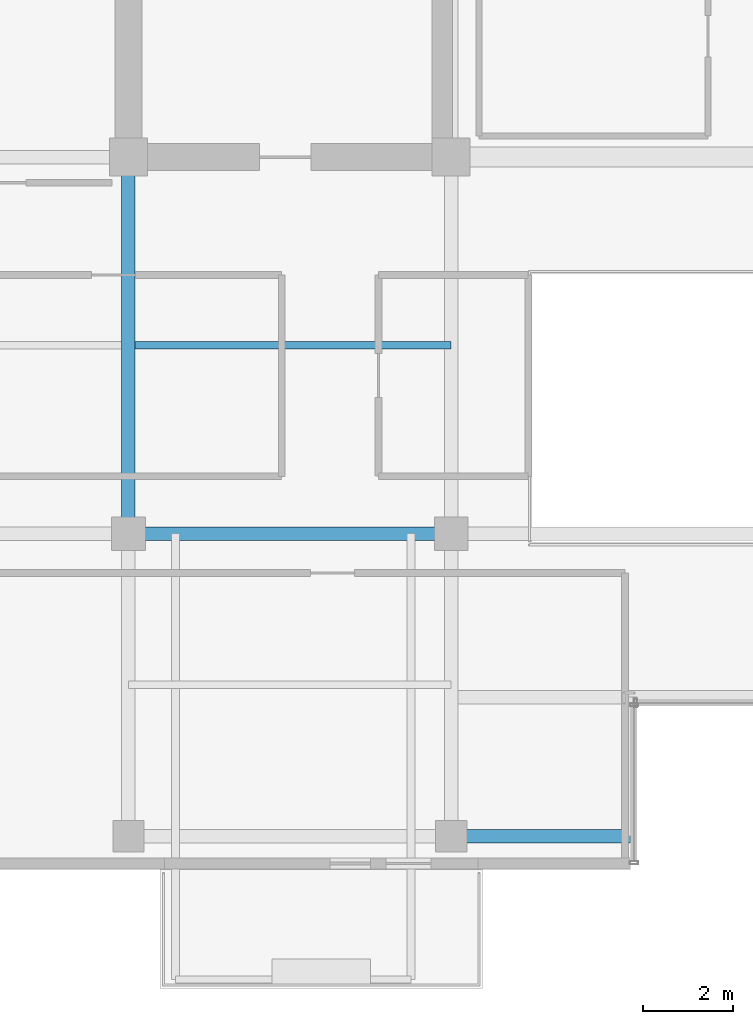
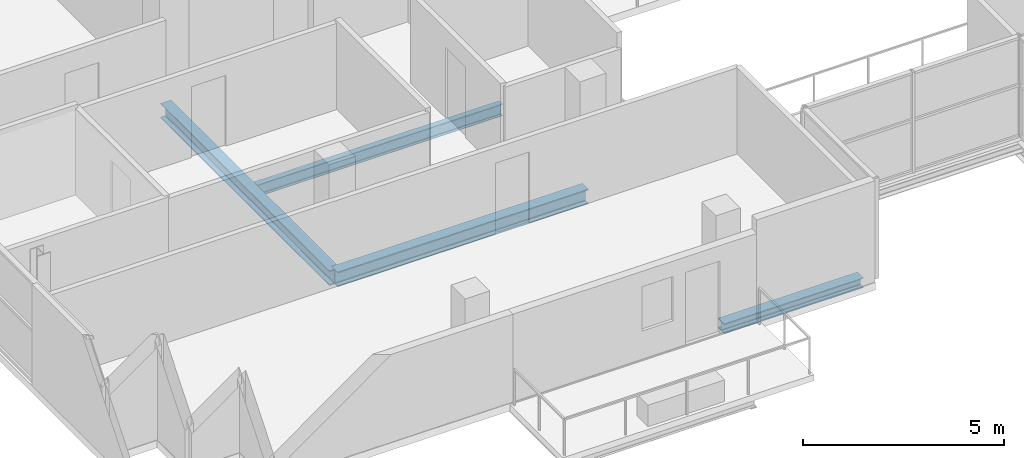
# One storey, part 5 of 23: 4 beams.
"""IFC4 building model written with IfcOpenShell, lengths in metres."""

import ifcopenshell
import ifcopenshell.guid

model = None  # the IFC model being written
_history = None  # IfcOwnerHistory: only IFC2X3 demands one
_inside = {}  # id of a spatial element -> (the spatial element, [elements in it])
_under = {}  # id of a project, library or spatial element -> (it, [spatial elements below it])
_declared = {}  # id of a project -> (the project, [libraries it declares])
_typed = {}  # id of a type object -> (the type object, [elements of that type])
_made_of = {}  # id of a material, layer set ... -> (it, [elements and type objects made of it])


def new_model(schema):
    """Start an empty IFC model of exactly this schema.

    Asked for "IFC4X3", IfcOpenShell would pick the latest addendum, in which some entities
    have other attributes; the version numbers below select the first issue.
    IFC2X3 requires an IfcOwnerHistory on every rooted entity: one is made here for all.
    """
    global model, _history
    if schema == "IFC4X3":
        model = ifcopenshell.file(schema_version=(4, 3, 0, 0))
    else:
        model = ifcopenshell.file(schema=schema)
    _inside.clear()
    _under.clear()
    _declared.clear()
    _typed.clear()
    _made_of.clear()
    _history = None
    if model.schema == "IFC2X3":
        org = make("IfcOrganization", Name="unknown")
        user = make(
            "IfcPersonAndOrganization",
            ThePerson=make("IfcPerson", FamilyName="unknown"),
            TheOrganization=org,
        )
        app = make(
            "IfcApplication",
            ApplicationDeveloper=org,
            Version="unknown",
            ApplicationFullName="unknown",
            ApplicationIdentifier="unknown",
        )
        _history = make(
            "IfcOwnerHistory",
            OwningUser=user,
            OwningApplication=app,
            ChangeAction="ADDED",
            CreationDate=0,
        )
    return model


def make(cls, **values):
    """One entity of the class cls with the attributes given. An attribute that is None is left unset."""
    return model.create_entity(
        cls, **{name: value for name, value in values.items() if value is not None}
    )


def rooted(cls, **values):
    """An entity with a GlobalId (a new one), such as an element, a storey or a relation."""
    return make(cls, GlobalId=ifcopenshell.guid.new(), OwnerHistory=_history, **values)


def si_unit(unit_type, name, prefix=None):
    """IfcSIUnit, for example si_unit("LENGTHUNIT", "METRE", prefix="MILLI")."""
    return make("IfcSIUnit", UnitType=unit_type, Prefix=prefix, Name=name)


def assignment(units):
    """IfcUnitAssignment: the units of a project."""
    return None if units is None else make("IfcUnitAssignment", Units=units)


def point(xyz):
    """IfcCartesianPoint."""
    return None if xyz is None else make("IfcCartesianPoint", Coordinates=xyz)


def direction(xyz):
    """IfcDirection."""
    return None if xyz is None else make("IfcDirection", DirectionRatios=xyz)


def frame(location, z_axis=None, x_axis=None):
    """IfcAxis2Placement3D, a coordinate frame: its origin and axes. An axis left out is left unset."""
    return make(
        "IfcAxis2Placement3D",
        Location=point(location),
        Axis=direction(z_axis),
        RefDirection=direction(x_axis),
    )


def frame_2d(location, x_axis=None):
    """IfcAxis2Placement2D, a coordinate frame in the plane: its origin and x axis."""
    return make(
        "IfcAxis2Placement2D", Location=point(location), RefDirection=direction(x_axis)
    )


def origin():
    """The frame at (0, 0, 0) with its axes left unset."""
    return frame((0.0, 0.0, 0.0))


def origin_2d():
    """The frame at (0, 0) in the plane with its x axis left unset."""
    return frame_2d((0.0, 0.0))


def place(relative_to, where):
    """IfcLocalPlacement: puts the frame where relative to a parent placement (None: the world)."""
    return make(
        "IfcLocalPlacement", PlacementRelTo=relative_to, RelativePlacement=where
    )


def context(
    kind, dimensions, precision=None, world=None, true_north=None, identifier=None
):
    """IfcGeometricRepresentationContext, for example the 3D "Model" context."""
    return make(
        "IfcGeometricRepresentationContext",
        ContextIdentifier=identifier,
        ContextType=kind,
        CoordinateSpaceDimension=dimensions,
        Precision=precision,
        WorldCoordinateSystem=world,
        TrueNorth=true_north,
    )


def subcontext(parent, identifier, kind, view, scale=None):
    """IfcGeometricRepresentationSubContext, for example "Body" below "Model"."""
    return make(
        "IfcGeometricRepresentationSubContext",
        ContextIdentifier=identifier,
        ContextType=kind,
        ParentContext=parent,
        TargetScale=scale,
        TargetView=view,
    )


def project(units=None, contexts=None):
    """IfcProject with its units and contexts."""
    return rooted(
        "IfcProject",
        Name="project",
        RepresentationContexts=contexts,
        UnitsInContext=assignment(units),
    )


def spatial(cls, under=None, at=None, **own):
    """A site, building, storey or space (cls), placed at a placement, below another one or the project."""
    s = rooted(cls, ObjectPlacement=at, **own)
    if under is not None:
        _under.setdefault(under.id(), (under, []))[1].append(s)
    return s


def profile(cls, at=None, kind="AREA", **sizes):
    """A parametric profile (cls). Its sizes go by their IFC names, for example OverallWidth=200.0."""
    return make(cls, ProfileType=kind, Position=at, **sizes)


def i_section(**sizes):
    """IfcIShapeProfileDef."""
    return profile("IfcIShapeProfileDef", **sizes)


def extrude(swept, where, along, depth):
    """IfcExtrudedAreaSolid: the profile swept, set in the frame where, extruded along a direction by depth."""
    return make(
        "IfcExtrudedAreaSolid",
        SweptArea=swept,
        Position=where,
        ExtrudedDirection=direction(along),
        Depth=depth,
    )


def shape(context_of_items, identifier, shape_type, items):
    """IfcShapeRepresentation: the items that make up one representation, for example the "Body"."""
    return make(
        "IfcShapeRepresentation",
        ContextOfItems=context_of_items,
        RepresentationIdentifier=identifier,
        RepresentationType=shape_type,
        Items=items,
    )


def material(Name=None, Category=None):
    """IfcMaterial."""
    return make("IfcMaterial", Name=Name, Category=Category)


def material_profile(
    of_material, cross_section, Name=None, Category=None, Priority=None
):
    """IfcMaterialProfile: a cross section and its material."""
    return make(
        "IfcMaterialProfile",
        Name=Name,
        Material=of_material,
        Profile=cross_section,
        Priority=Priority,
        Category=Category,
    )


def profile_set(profiles, Name=None, composite=None):
    """IfcMaterialProfileSet."""
    return make(
        "IfcMaterialProfileSet",
        Name=Name,
        MaterialProfiles=profiles,
        CompositeProfile=composite,
    )


def made_of(thing, what):
    """Note that an element or type object is made of a material, layer set ...; save() writes the relation."""
    if what is not None:
        _made_of.setdefault(what.id(), (what, []))[1].append(thing)
    return thing


def type_object(cls, material=None, **own):
    """A type object (cls), such as IfcWallType, which elements share."""
    return made_of(rooted(cls, **own), material)


def element(
    cls,
    number,
    at=None,
    inside=None,
    cuts=None,
    type_object=None,
    material=None,
    context=None,
    identifier="Body",
    shape_type=None,
    held_by="IfcProductDefinitionShape",
    body=None,
    shapes=None,
    **own,
):
    """One element of the class cls, such as IfcWall. Its Tag is "e" and its number.

    at: its placement. inside: the storey or other place that contains it. cuts: it is an
    opening in that element (IfcRelVoidsElement). A single representation is given by context,
    identifier, shape_type and body (its items); several are given by shapes. held_by: the class
    of the entity that holds the representations. save() writes the other relations.
    """
    e = rooted(cls, Tag="e%d" % number, ObjectPlacement=at, **own)
    if body is not None:
        shapes = [shape(context, identifier, shape_type, body)]
    if shapes is not None:
        e.Representation = make(held_by, Representations=shapes)
    if inside is not None:
        _inside.setdefault(inside.id(), (inside, []))[1].append(e)
    if cuts is not None:
        rooted(
            "IfcRelVoidsElement", RelatingBuildingElement=cuts, RelatedOpeningElement=e
        )
    if type_object is not None:
        _typed.setdefault(type_object.id(), (type_object, []))[1].append(e)
    return made_of(e, material)


def aggregate(whole, parts):
    """IfcRelAggregates: a whole, such as a stair, and the parts it consists of."""
    return rooted("IfcRelAggregates", RelatingObject=whole, RelatedObjects=parts)


def save(model, path):
    """Write the relations noted so far, then the file.

    IfcRelAggregates (storeys below a building ...), IfcRelContainedInSpatialStructure (elements
    in a storey), IfcRelDefinesByType, IfcRelAssociatesMaterial and IfcRelDeclares: one each for
    every whole, place, type object, material and project.
    """
    for whole, parts in _under.values():
        aggregate(whole, parts)
    for where, things in _inside.values():
        rooted(
            "IfcRelContainedInSpatialStructure",
            RelatedElements=things,
            RelatingStructure=where,
        )
    for kind, things in _typed.values():
        rooted("IfcRelDefinesByType", RelatedObjects=things, RelatingType=kind)
    for what, things in _made_of.values():
        rooted("IfcRelAssociatesMaterial", RelatedObjects=things, RelatingMaterial=what)
    for by, libraries in _declared.values():
        rooted("IfcRelDeclares", RelatingContext=by, RelatedDefinitions=libraries)
    model.write(path)


model = new_model("IFC4")

# Units and contexts
model_context = context("Model", 3, precision=1e-05, world=origin(), true_north=direction((0.0, 1.0)))
body_context = subcontext(model_context, "Body", "Model", "MODEL_VIEW")
ifc_project = project(units=[si_unit("LENGTHUNIT", "METRE"), si_unit("AREAUNIT", "SQUARE_METRE"), si_unit("VOLUMEUNIT", "CUBIC_METRE"), si_unit("PLANEANGLEUNIT", "RADIAN"), si_unit("MASSUNIT", "GRAM", prefix="KILO")], contexts=[model_context])

# Site, building, storey
site_placement = place(None, origin())
site = spatial("IfcSite", under=ifc_project, at=site_placement, CompositionType="ELEMENT")
building_placement = place(site_placement, origin())
building = spatial("IfcBuilding", under=site, at=building_placement, Name="Zarnakvel Exchange Tower", CompositionType="ELEMENT")
storey_placement = place(building_placement, frame((0.0, 0.0, 218.800048828125)))
storey = spatial("IfcBuildingStorey", under=building, at=storey_placement, Name="L61", CompositionType="ELEMENT", Elevation=218.800048828125)

# Beams
ifc_material = material(Name="Steel S355", Category="steel")
ifc_material_profile_1 = material_profile(ifc_material, i_section(OverallWidth=0.169921875, OverallDepth=0.360107421875, WebThickness=0.008056640625, FlangeThickness=0.0126953125, FilletRadius=0.01806640625, at=origin_2d()))
ifc_profile_set_1 = profile_set([ifc_material_profile_1], Name="Steel S355")
beam_type_1 = type_object("IfcBeamType", Name="B-07", PredefinedType="JOIST", material=ifc_profile_set_1)
beam_1_placement = place(storey_placement, frame((-14.25, -5.39990234375, -0.405029296875), z_axis=(1.0, 0.0, 0.0), x_axis=(0.0, 1.0, 0.0)))
element("IfcBeam", 1, at=beam_1_placement, inside=storey, type_object=beam_type_1, Name="L61 Composite Floor Secondary Joist", PredefinedType="JOIST", context=body_context, shape_type="SweptSolid", body=[
    extrude(i_section(OverallWidth=0.169921875, OverallDepth=0.360107421875, WebThickness=0.008056640625, FlangeThickness=0.0126953125, FilletRadius=0.01806640625, at=origin_2d()), origin(), (0.0, 0.0, 1.0), 7.050048828125),
])
ifc_material_profile_2 = material_profile(ifc_material, i_section(OverallWidth=0.300048828125, OverallDepth=0.449951171875, WebThickness=0.013916015625, FlangeThickness=0.02587890625, FilletRadius=0.027099609375, at=origin_2d()))
ifc_profile_set_2 = profile_set([ifc_material_profile_2], Name="Steel S355")
beam_type_2 = type_object("IfcBeamType", Name="G-07", PredefinedType="BEAM", material=ifc_profile_set_2)
beam_2_placement = place(storey_placement, frame((-14.39990234375, -9.60009765625, -0.449951171875), z_axis=(1.0, 0.0, 0.0), x_axis=(0.0, 1.0, 0.0)))
element("IfcBeam", 2, at=beam_2_placement, inside=storey, type_object=beam_type_2, Name="L61 Tower E-W Frame Beam", PredefinedType="BEAM", context=body_context, shape_type="SweptSolid", body=[
    extrude(i_section(OverallWidth=0.300048828125, OverallDepth=0.449951171875, WebThickness=0.013916015625, FlangeThickness=0.02587890625, FilletRadius=0.027099609375, at=origin_2d()), origin(), (0.0, 0.0, 1.0), 7.199951171875),
])
beam_3_placement = place(storey_placement, frame((-14.39990234375, -9.60009765625, -0.449951171875), z_axis=(0.0, 1.0, 0.0), x_axis=(-1.0, 0.0, 0.0)))
element("IfcBeam", 3, at=beam_3_placement, inside=storey, type_object=beam_type_2, Name="L61 Tower N-S Frame Beam", PredefinedType="BEAM", context=body_context, shape_type="SweptSolid", body=[
    extrude(i_section(OverallWidth=0.300048828125, OverallDepth=0.449951171875, WebThickness=0.013916015625, FlangeThickness=0.02587890625, FilletRadius=0.027099609375, at=origin_2d()), origin(), (0.0, 0.0, 1.0), 8.400146484375),
])
ifc_material_profile_3 = material_profile(ifc_material, i_section(OverallWidth=0.300048828125, OverallDepth=0.300048828125, WebThickness=0.010986328125, FlangeThickness=0.01904296875, FilletRadius=0.027099609375, at=origin_2d()))
ifc_profile_set_3 = profile_set([ifc_material_profile_3], Name="Steel S355")
beam_type_3 = type_object("IfcBeamType", Name="SP-03", PredefinedType="SPANDREL", material=ifc_profile_set_3)
beam_4_placement = place(storey_placement, frame((-7.199951171875, -16.35009765625, -0.375), z_axis=(1.0, 0.0, 0.0), x_axis=(0.0, 1.0, 0.0)))
element("IfcBeam", 4, at=beam_4_placement, inside=storey, type_object=beam_type_3, Name="L61 South Slot West Jamb Spandrel", PredefinedType="SPANDREL", context=body_context, shape_type="SweptSolid", body=[
    extrude(i_section(OverallWidth=0.300048828125, OverallDepth=0.300048828125, WebThickness=0.010986328125, FlangeThickness=0.01904296875, FilletRadius=0.027099609375, at=origin_2d()), origin(), (0.0, 0.0, 1.0), 4.0),
])

save(model, "model.ifc")
